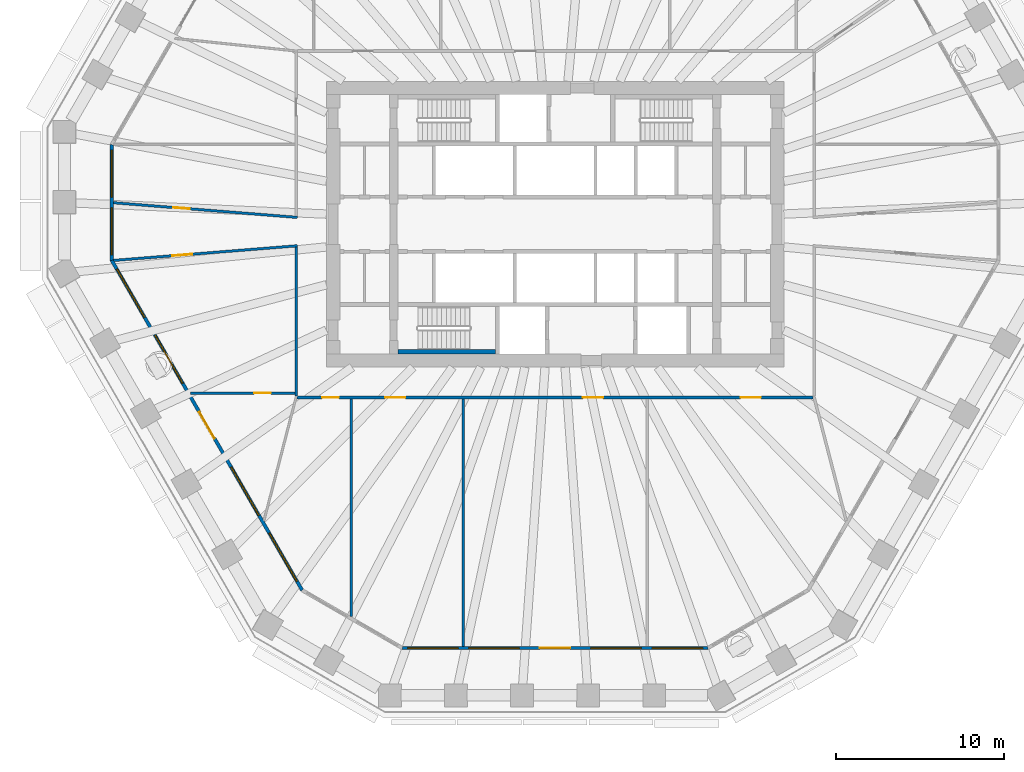
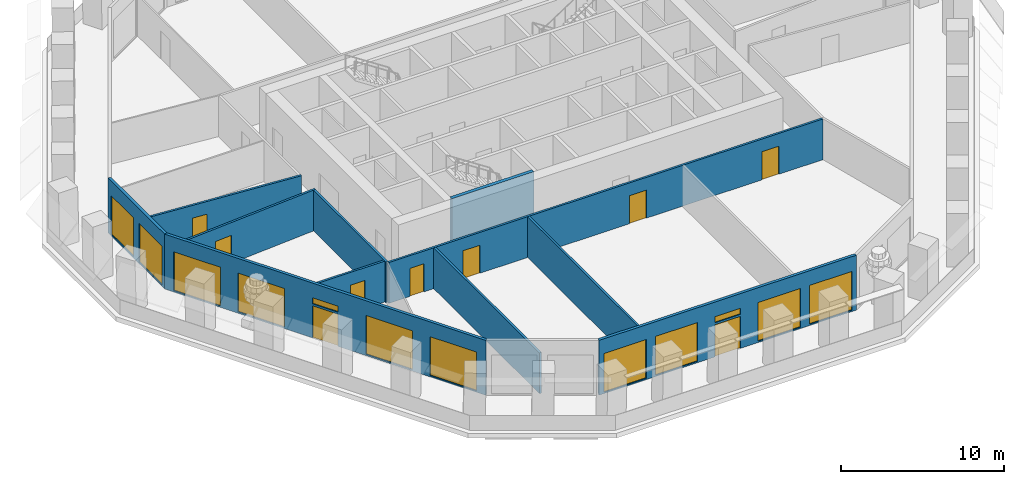
# One storey, part 3 of 12: 12 windows, 11 walls, 9 doors, 21 openings.
"""IFC4 building model written with IfcOpenShell, lengths in metres."""

from ifc_helpers import new_model, si_unit, direction, frame, frame_2d, origin, place, context, subcontext, project, spatial, polyline, rectangle, outline, extrude, material, layer, layer_set, type_object, element, fill, save


model = new_model("IFC4")

# Units and contexts
model_context = context("Model", 3, precision=1e-05, world=origin(), true_north=direction((0.0, 1.0)))
body_context = subcontext(model_context, "Body", "Model", "MODEL_VIEW")
ifc_project = project(units=[si_unit("LENGTHUNIT", "METRE"), si_unit("AREAUNIT", "SQUARE_METRE"), si_unit("VOLUMEUNIT", "CUBIC_METRE"), si_unit("PLANEANGLEUNIT", "RADIAN"), si_unit("MASSUNIT", "GRAM", prefix="KILO")], contexts=[model_context])

# Site, building, storey
site_placement = place(None, origin())
site = spatial("IfcSite", under=ifc_project, at=site_placement, CompositionType="ELEMENT")
building_placement = place(site_placement, origin())
building = spatial("IfcBuilding", under=site, at=building_placement, Name="Frailejon Research Tower", CompositionType="ELEMENT")
storey_placement = place(building_placement, frame((0.0, 0.0, 122.0)))
storey = spatial("IfcBuildingStorey", under=building, at=storey_placement, Name="L26", CompositionType="ELEMENT", Elevation=122.0)

# Wall
ifc_material_1 = material(Name="Gypsum board and masonry partition", Category="masonry")
ifc_layer_1 = layer(ifc_material_1, 0.14990234375)
ifc_layer_set_1 = layer_set([ifc_layer_1], Name="Corridor wall EI 60, gypsum on steel studs 150")
wall_type_1 = type_object("IfcWallType", Name="Corridor wall EI 60, gypsum on steel studs 150", PredefinedType="PARTITIONING", material=ifc_layer_set_1)
wall_1_placement = place(storey_placement, frame((-15.39990234375, -10.22509765625, 0.0), z_axis=(0.0, 0.0, 1.0), x_axis=(0.0, 1.0, 0.0)))
element("IfcWall", 1, at=wall_1_placement, inside=storey, type_object=wall_type_1, Name="T:IW:L26:004", PredefinedType="PARTITIONING", context=body_context, shape_type="SweptSolid", body=[
    extrude(rectangle(XDim=8.86279296875, YDim=0.14990234375, at=frame_2d((4.431396484375, 0.0))), origin(), (0.0, 0.0, 1.0), 3.050048828125),
])

# Wall, openings, doors
wall_2_placement = place(storey_placement, frame((-15.35009765625, -10.300048828125, 0.0), z_axis=(0.0, 0.0, 1.0), x_axis=(1.0, 0.0, 0.0)))
wall_2 = element("IfcWall", 2, at=wall_2_placement, inside=storey, type_object=wall_type_1, Name="T:IW:L26:006", PredefinedType="PARTITIONING", context=body_context, shape_type="SweptSolid", body=[
    extrude(rectangle(XDim=30.675048828125, YDim=0.14990234375, at=frame_2d((15.33740234375, 0.0))), origin(), (0.0, 0.0, 1.0), 3.050048828125),
])
opening_1_placement = place(wall_2_placement, frame((1.493408203125, 0.0, 0.0)))
opening_1 = element("IfcOpeningElement", 3, at=opening_1_placement, cuts=wall_2, Name="Opening D1642", PredefinedType="OPENING", context=body_context, shape_type="SweptSolid", body=[
    extrude(rectangle(XDim=1.0, YDim=2.10009765625, at=frame_2d((0.5, 1.050048828125))), frame((0.0, 0.0849609375, 0.0), z_axis=(0.0, -1.0, 0.0), x_axis=(1.0, 0.0, 0.0)), (0.0, 0.0, 1.0), 0.169921875),
])
opening_2_placement = place(wall_2_placement, frame((5.25146484375, 0.0, 0.0)))
opening_2 = element("IfcOpeningElement", 4, at=opening_2_placement, cuts=wall_2, Name="Opening D1643", PredefinedType="OPENING", context=body_context, shape_type="SweptSolid", body=[
    extrude(rectangle(XDim=1.199951171875, YDim=2.10009765625, at=frame_2d((0.60009765625, 1.050048828125))), frame((0.0, 0.0849609375, 0.0), z_axis=(0.0, -1.0, 0.0), x_axis=(1.0, 0.0, 0.0)), (0.0, 0.0, 1.0), 0.169921875),
])
opening_3_placement = place(wall_2_placement, frame((17.0078125, 0.0, 0.0)))
opening_3 = element("IfcOpeningElement", 5, at=opening_3_placement, cuts=wall_2, Name="Opening D1644", PredefinedType="OPENING", context=body_context, shape_type="SweptSolid", body=[
    extrude(rectangle(XDim=1.199951171875, YDim=2.10009765625, at=frame_2d((0.60009765625, 1.050048828125))), frame((0.0, 0.0849609375, 0.0), z_axis=(0.0, -1.0, 0.0), x_axis=(1.0, 0.0, 0.0)), (0.0, 0.0, 1.0), 0.169921875),
])
opening_4_placement = place(wall_2_placement, frame((26.387939453125, 0.0, 0.0)))
opening_4 = element("IfcOpeningElement", 6, at=opening_4_placement, cuts=wall_2, Name="Opening D1645", PredefinedType="OPENING", context=body_context, shape_type="SweptSolid", body=[
    extrude(rectangle(XDim=1.199951171875, YDim=2.10009765625, at=frame_2d((0.60009765625, 1.050048828125))), frame((0.0, 0.0849609375, 0.0), z_axis=(0.0, -1.0, 0.0), x_axis=(1.0, 0.0, 0.0)), (0.0, 0.0, 1.0), 0.169921875),
])
ifc_material_2 = material(Name="Timber door leaf", Category="wood")
door_type_1 = type_object("IfcDoorType", Name="Door laboratory, timber, vision panel 1200", OperationType="NOTDEFINED", PredefinedType="DOOR", material=ifc_material_2)
door_1_placement = place(opening_2_placement, origin())
door_1 = element("IfcDoor", 7, at=door_1_placement, inside=storey, type_object=door_type_1, Name="D1643", OperationType="DOUBLE_DOOR_SINGLE_SWING", OverallHeight=2.10009765625, OverallWidth=1.199951171875, PredefinedType="DOOR", context=body_context, shape_type="SweptSolid", body=[
    extrude(rectangle(XDim=1.199951171875, YDim=2.10009765625, at=frame_2d((0.60009765625, 1.050048828125))), frame((0.0, 0.02490234375, 0.0), z_axis=(0.0, -1.0, 0.0), x_axis=(1.0, 0.0, 0.0)), (0.0, 0.0, 1.0), 0.050048828125),
])
fill(opening_2, door_1)
door_2_placement = place(opening_3_placement, origin())
door_2 = element("IfcDoor", 8, at=door_2_placement, inside=storey, type_object=door_type_1, Name="D1644", OperationType="DOUBLE_DOOR_SINGLE_SWING", OverallHeight=2.10009765625, OverallWidth=1.199951171875, PredefinedType="DOOR", context=body_context, shape_type="SweptSolid", body=[
    extrude(rectangle(XDim=1.199951171875, YDim=2.10009765625, at=frame_2d((0.60009765625, 1.050048828125))), frame((0.0, 0.02490234375, 0.0), z_axis=(0.0, -1.0, 0.0), x_axis=(1.0, 0.0, 0.0)), (0.0, 0.0, 1.0), 0.050048828125),
])
fill(opening_3, door_2)
door_3_placement = place(opening_4_placement, origin())
door_3 = element("IfcDoor", 9, at=door_3_placement, inside=storey, type_object=door_type_1, Name="D1645", OperationType="DOUBLE_DOOR_SINGLE_SWING", OverallHeight=2.10009765625, OverallWidth=1.199951171875, PredefinedType="DOOR", context=body_context, shape_type="SweptSolid", body=[
    extrude(rectangle(XDim=1.199951171875, YDim=2.10009765625, at=frame_2d((0.60009765625, 1.050048828125))), frame((0.0, 0.02490234375, 0.0), z_axis=(0.0, -1.0, 0.0), x_axis=(1.0, 0.0, 0.0)), (0.0, 0.0, 1.0), 0.050048828125),
])
fill(opening_4, door_3)
ifc_material_3 = material(Name="Timber door leaf", Category="wood")
door_type_2 = type_object("IfcDoorType", Name="Door single leaf, timber, steel frame 1000", OperationType="NOTDEFINED", PredefinedType="DOOR", material=ifc_material_3)
door_4_placement = place(opening_1_placement, origin())
door_4 = element("IfcDoor", 10, at=door_4_placement, inside=storey, type_object=door_type_2, Name="D1642", OperationType="SINGLE_SWING_LEFT", OverallHeight=2.10009765625, OverallWidth=1.0, PredefinedType="DOOR", context=body_context, shape_type="SweptSolid", body=[
    extrude(rectangle(XDim=1.0, YDim=2.10009765625, at=frame_2d((0.5, 1.050048828125))), frame((0.0, 0.02490234375, 0.0), z_axis=(0.0, -1.0, 0.0), x_axis=(1.0, 0.0, 0.0)), (0.0, 0.0, 1.0), 0.050048828125),
])
fill(opening_1, door_4)

# Wall, opening, door
wall_3_placement = place(storey_placement, frame((-26.26025390625, 1.27880859375, 0.0), z_axis=(0.0, 0.0, 1.0), x_axis=(0.996835062106, -0.079497540564, 0.0)))
wall_3 = element("IfcWall", 11, at=wall_3_placement, inside=storey, type_object=wall_type_1, Name="T:IW:L26:007", PredefinedType="PARTITIONING", context=body_context, shape_type="SweptSolid", body=[
    extrude(rectangle(XDim=10.9697265625, YDim=0.14990234375, at=frame_2d((5.48486328125, 0.0))), origin(), (0.0, 0.0, 1.0), 3.050048828125),
])
opening_5_placement = place(wall_3_placement, frame((3.568115234375, 0.0, 0.0)))
opening_5 = element("IfcOpeningElement", 12, at=opening_5_placement, cuts=wall_3, Name="Opening D1639", PredefinedType="OPENING", context=body_context, shape_type="SweptSolid", body=[
    extrude(rectangle(XDim=1.0, YDim=2.10009765625, at=frame_2d((0.5, 1.050048828125))), frame((0.0, 0.0849609375, 0.0), z_axis=(0.0, -1.0, 0.0), x_axis=(1.0, 0.0, 0.0)), (0.0, 0.0, 1.0), 0.169921875),
])
door_5_placement = place(opening_5_placement, origin())
door_5 = element("IfcDoor", 13, at=door_5_placement, inside=storey, type_object=door_type_2, Name="D1639", OperationType="SINGLE_SWING_LEFT", OverallHeight=2.10009765625, OverallWidth=1.0, PredefinedType="DOOR", context=body_context, shape_type="SweptSolid", body=[
    extrude(rectangle(XDim=1.0, YDim=2.10009765625, at=frame_2d((0.5, 1.050048828125))), frame((0.0, 0.02490234375, 0.0), z_axis=(0.0, -1.0, 0.0), x_axis=(1.0, 0.0, 0.0)), (0.0, 0.0, 1.0), 0.050048828125),
])
fill(opening_5, door_5)

wall_4_placement = place(storey_placement, frame((-26.239501953125, -2.151611328125, 0.0), z_axis=(0.0, 0.0, 1.0), x_axis=(0.996835453058, 0.079492638187, 0.0)))
wall_4 = element("IfcWall", 14, at=wall_4_placement, inside=storey, type_object=wall_type_1, Name="T:IW:L26:008", PredefinedType="PARTITIONING", context=body_context, shape_type="SweptSolid", body=[
    extrude(rectangle(XDim=10.948974609375, YDim=0.14990234375, at=frame_2d((5.474609375, 0.0))), origin(), (0.0, 0.0, 1.0), 3.050048828125),
])
opening_6_placement = place(wall_4_placement, frame((3.490966796875, 0.0, 0.0)))
opening_6 = element("IfcOpeningElement", 15, at=opening_6_placement, cuts=wall_4, Name="Opening D1640", PredefinedType="OPENING", context=body_context, shape_type="SweptSolid", body=[
    extrude(rectangle(XDim=1.199951171875, YDim=2.10009765625, at=frame_2d((0.60009765625, 1.050048828125))), frame((0.0, 0.0849609375, 0.0), z_axis=(0.0, -1.0, 0.0), x_axis=(1.0, 0.0, 0.0)), (0.0, 0.0, 1.0), 0.169921875),
])
door_6_placement = place(opening_6_placement, origin())
door_6 = element("IfcDoor", 16, at=door_6_placement, inside=storey, type_object=door_type_1, Name="D1640", OperationType="DOUBLE_DOOR_SINGLE_SWING", OverallHeight=2.10009765625, OverallWidth=1.199951171875, PredefinedType="DOOR", context=body_context, shape_type="SweptSolid", body=[
    extrude(rectangle(XDim=1.199951171875, YDim=2.10009765625, at=frame_2d((0.60009765625, 1.050048828125))), frame((0.0, 0.02490234375, 0.0), z_axis=(0.0, -1.0, 0.0), x_axis=(1.0, 0.0, 0.0)), (0.0, 0.0, 1.0), 0.050048828125),
])
fill(opening_6, door_6)

ifc_material_4 = material(Name="Gypsum board and masonry partition", Category="masonry")
ifc_layer_2 = layer(ifc_material_4, 0.14990234375)
ifc_layer_set_2 = layer_set([ifc_layer_2], Name="Laboratory partition, blockwork 150")
wall_type_2 = type_object("IfcWallType", Name="Laboratory partition, blockwork 150", PredefinedType="PARTITIONING", material=ifc_layer_set_2)
wall_5_placement = place(storey_placement, frame((-21.688720703125, -10.033935546875, 0.0), z_axis=(0.0, 0.0, 1.0), x_axis=(1.0, 0.0, 0.0)))
wall_5 = element("IfcWall", 17, at=wall_5_placement, inside=storey, type_object=wall_type_2, Name="T:IW:L26:015", PredefinedType="PARTITIONING", context=body_context, shape_type="SweptSolid", body=[
    extrude(rectangle(XDim=6.213623046875, YDim=0.14990234375, at=frame_2d((3.10693359375, 0.0))), origin(), (0.0, 0.0, 1.0), 3.050048828125),
])
opening_7_placement = place(wall_5_placement, frame((3.79150390625, 0.0, 0.0)))
opening_7 = element("IfcOpeningElement", 18, at=opening_7_placement, cuts=wall_5, Name="Opening D1641", PredefinedType="OPENING", context=body_context, shape_type="SweptSolid", body=[
    extrude(rectangle(XDim=1.0, YDim=2.10009765625, at=frame_2d((0.5, 1.050048828125))), frame((0.0, 0.0849609375, 0.0), z_axis=(0.0, -1.0, 0.0), x_axis=(1.0, 0.0, 0.0)), (0.0, 0.0, 1.0), 0.169921875),
])
door_7_placement = place(opening_7_placement, origin())
door_7 = element("IfcDoor", 19, at=door_7_placement, inside=storey, type_object=door_type_2, Name="D1641", OperationType="SINGLE_SWING_LEFT", OverallHeight=2.10009765625, OverallWidth=1.0, PredefinedType="DOOR", context=body_context, shape_type="SweptSolid", body=[
    extrude(rectangle(XDim=1.0, YDim=2.10009765625, at=frame_2d((0.5, 1.050048828125))), frame((0.0, 0.02490234375, 0.0), z_axis=(0.0, -1.0, 0.0), x_axis=(1.0, 0.0, 0.0)), (0.0, 0.0, 1.0), 0.050048828125),
])
fill(opening_7, door_7)

# Walls
wall_6_placement = place(storey_placement, frame((-12.10888671875, -23.331787109375, 0.0), z_axis=(0.0, 0.0, 1.0), x_axis=(0.0, 1.0, 0.0)))
element("IfcWall", 20, at=wall_6_placement, inside=storey, type_object=wall_type_2, Name="T:IW:L26:016", PredefinedType="PARTITIONING", context=body_context, shape_type="SweptSolid", body=[
    extrude(rectangle(XDim=12.956787109375, YDim=0.14990234375, at=frame_2d((6.478515625, 0.0))), origin(), (0.0, 0.0, 1.0), 3.050048828125),
])
wall_7_placement = place(storey_placement, frame((-5.46533203125, -25.0947265625, 0.0), z_axis=(0.0, 0.0, 1.0), x_axis=(0.0, 1.0, 0.0)))
element("IfcWall", 21, at=wall_7_placement, inside=storey, type_object=wall_type_2, Name="T:IW:L26:017", PredefinedType="PARTITIONING", context=body_context, shape_type="SweptSolid", body=[
    extrude(rectangle(XDim=14.7197265625, YDim=0.14990234375, at=frame_2d((7.35986328125, 0.0))), origin(), (0.0, 0.0, 1.0), 3.050048828125),
])
ifc_material_5 = material(Name="Concrete C70/85", Category="concrete")
ifc_layer_3 = layer(ifc_material_5, 0.25)
ifc_layer_set_3 = layer_set([ifc_layer_3], Name="Shaft wall 250 C70/85")
wall_type_3 = type_object("IfcWallType", Name="Shaft wall 250 C70/85", PredefinedType="SOLIDWALL", material=ifc_layer_set_3)
wall_8_placement = place(storey_placement, frame((-9.35009765625, -7.574951171875, 0.0), z_axis=(0.0, 0.0, 1.0), x_axis=(1.0, 0.0, 0.0)))
element("IfcWall", 22, at=wall_8_placement, inside=storey, type_object=wall_type_3, Name="Shaft wall", PredefinedType="SOLIDWALL", context=body_context, shape_type="SweptSolid", body=[
    extrude(rectangle(XDim=5.800048828125, YDim=0.25, at=frame_2d((2.89990234375, 0.0))), origin(), (0.0, 0.0, 1.0), 4.10009765625),
])

# Wall, openings, windows
ifc_material_6 = material(Name="Concrete C40/50 precast window wall panel", Category="concrete")
ifc_layer_4 = layer(ifc_material_6, 0.199951171875)
ifc_layer_set_4 = layer_set([ifc_layer_4], Name="Window wall 200")
wall_type_4 = type_object("IfcWallType", Name="Window wall 200", PredefinedType="SOLIDWALL", material=ifc_layer_set_4)
wall_9_placement = place(storey_placement, frame((-26.3603515625, 4.732177734375, 0.0), z_axis=(0.0, 0.0, 1.0), x_axis=(0.0, -1.0, 0.0)))
wall_9 = element("IfcWall", 23, at=wall_9_placement, inside=storey, type_object=wall_type_4, Name="Exterior wall L26", PredefinedType="SOLIDWALL", context=body_context, shape_type="SweptSolid", body=[
    extrude(outline(polyline([(-0.02685546875, -0.10009765625), (1.1279296875, -0.10009765625), (2.28271484375, -0.10009765625), (3.4375, -0.10009765625), (4.592041015625, -0.10009765625), (5.746826171875, -0.10009765625), (6.901611328125, -0.10009765625), (6.847900390625, 0.10009765625), (5.7109375, 0.10009765625), (4.57421875, 0.10009765625), (3.4375, 0.10009765625), (2.300537109375, 0.10009765625), (1.16357421875, 0.10009765625), (0.02685546875, 0.10009765625), (-0.02685546875, -0.10009765625)])), origin(), (0.0, 0.0, 1.0), 4.10009765625),
])
opening_8_placement = place(wall_9_placement, frame((0.318603515625, 0.0, 0.10009765625)))
opening_8 = element("IfcOpeningElement", 24, at=opening_8_placement, cuts=wall_9, Name="Opening W3", PredefinedType="OPENING", context=body_context, shape_type="SweptSolid", body=[
    extrude(rectangle(XDim=2.800048828125, YDim=2.89990234375, at=frame_2d((1.39990234375, 1.449951171875))), frame((0.0, 0.10986328125, 0.0), z_axis=(0.0, -1.0, 0.0), x_axis=(1.0, 0.0, 0.0)), (0.0, 0.0, 1.0), 0.219970703125),
])
opening_9_placement = place(wall_9_placement, frame((3.756103515625, 0.0, 0.10009765625)))
opening_9 = element("IfcOpeningElement", 25, at=opening_9_placement, cuts=wall_9, Name="Opening W3", PredefinedType="OPENING", context=body_context, shape_type="SweptSolid", body=[
    extrude(rectangle(XDim=2.800048828125, YDim=2.89990234375, at=frame_2d((1.39990234375, 1.449951171875))), frame((0.0, 0.10986328125, 0.0), z_axis=(0.0, -1.0, 0.0), x_axis=(1.0, 0.0, 0.0)), (0.0, 0.0, 1.0), 0.219970703125),
])
ifc_material_7 = material(Name="Aluminium framed double glazing", Category="aluminium")
window_type_1 = type_object("IfcWindowType", Name="Window 2800x2900", PartitioningType="SINGLE_PANEL", PredefinedType="WINDOW", material=ifc_material_7)
window_1_placement = place(opening_8_placement, origin())
window_1 = element("IfcWindow", 26, at=window_1_placement, inside=storey, type_object=window_type_1, Name="Window L26", OverallHeight=2.89990234375, OverallWidth=2.800048828125, PartitioningType="SINGLE_PANEL", PredefinedType="WINDOW", context=body_context, shape_type="SweptSolid", body=[
    extrude(rectangle(XDim=2.800048828125, YDim=2.89990234375, at=frame_2d((1.39990234375, 1.449951171875))), frame((0.0, 0.030029296875, 0.0), z_axis=(0.0, -1.0, 0.0), x_axis=(1.0, 0.0, 0.0)), (0.0, 0.0, 1.0), 0.06005859375),
])
fill(opening_8, window_1)
window_2_placement = place(opening_9_placement, origin())
window_2 = element("IfcWindow", 27, at=window_2_placement, inside=storey, type_object=window_type_1, Name="Window L26", OverallHeight=2.89990234375, OverallWidth=2.800048828125, PartitioningType="SINGLE_PANEL", PredefinedType="WINDOW", context=body_context, shape_type="SweptSolid", body=[
    extrude(rectangle(XDim=2.800048828125, YDim=2.89990234375, at=frame_2d((1.39990234375, 1.449951171875))), frame((0.0, 0.030029296875, 0.0), z_axis=(0.0, -1.0, 0.0), x_axis=(1.0, 0.0, 0.0)), (0.0, 0.0, 1.0), 0.06005859375),
])
fill(opening_9, window_2)

# Wall, openings, door, windows
wall_10_placement = place(storey_placement, frame((-26.3603515625, -2.142578125, 0.0), z_axis=(0.0, 0.0, 1.0), x_axis=(0.499999574138, -0.866025649656, 0.0)))
wall_10 = element("IfcWall", 28, at=wall_10_placement, inside=storey, type_object=wall_type_4, Name="Exterior wall L26", PredefinedType="SOLIDWALL", context=body_context, shape_type="SweptSolid", body=[
    extrude(outline(polyline([(-0.02685546875, -0.10009765625), (1.005126953125, -0.10009765625), (2.037109375, -0.10009765625), (3.069091796875, -0.10009765625), (4.10107421875, -0.10009765625), (5.133056640625, -0.10009765625), (6.164794921875, -0.10009765625), (7.19677734375, -0.10009765625), (8.228759765625, -0.10009765625), (9.2607421875, -0.10009765625), (10.292724609375, -0.10009765625), (11.32470703125, -0.10009765625), (12.356689453125, -0.10009765625), (13.388671875, -0.10009765625), (14.420654296875, -0.10009765625), (15.45263671875, -0.10009765625), (16.484619140625, -0.10009765625), (17.516357421875, -0.10009765625), (18.54833984375, -0.10009765625), (19.580322265625, -0.10009765625), (20.6123046875, -0.10009765625), (21.644287109375, -0.10009765625), (22.67626953125, -0.10009765625), (22.62255859375, 0.10009765625), (21.595458984375, 0.10009765625), (20.568359375, 0.10009765625), (19.541259765625, 0.10009765625), (18.51416015625, 0.10009765625), (17.487060546875, 0.10009765625), (16.460205078125, 0.10009765625), (15.43310546875, 0.10009765625), (14.406005859375, 0.10009765625), (13.37890625, 0.10009765625), (12.351806640625, 0.10009765625), (11.32470703125, 0.10009765625), (10.297607421875, 0.10009765625), (9.2705078125, 0.10009765625), (8.243408203125, 0.10009765625), (7.21630859375, 0.10009765625), (6.189208984375, 0.10009765625), (5.162353515625, 0.10009765625), (4.13525390625, 0.10009765625), (3.108154296875, 0.10009765625), (2.0810546875, 0.10009765625), (1.053955078125, 0.10009765625), (0.02685546875, 0.10009765625), (-0.02685546875, -0.10009765625)])), origin(), (0.0, 0.0, 1.0), 4.10009765625),
])
opening_10_placement = place(wall_10_placement, frame((0.614990234375, 0.0, 0.10009765625)))
opening_10 = element("IfcOpeningElement", 29, at=opening_10_placement, cuts=wall_10, Name="Opening W5", PredefinedType="OPENING", context=body_context, shape_type="SweptSolid", body=[
    extrude(rectangle(XDim=3.300048828125, YDim=2.89990234375, at=frame_2d((1.64990234375, 1.449951171875))), frame((0.0, 0.10986328125, 0.0), z_axis=(0.0, -1.0, 0.0), x_axis=(1.0, 0.0, 0.0)), (0.0, 0.0, 1.0), 0.219970703125),
])
opening_11_placement = place(wall_10_placement, frame((5.144775390625, 0.0, 0.10009765625)))
opening_11 = element("IfcOpeningElement", 30, at=opening_11_placement, cuts=wall_10, Name="Opening W5", PredefinedType="OPENING", context=body_context, shape_type="SweptSolid", body=[
    extrude(rectangle(XDim=3.300048828125, YDim=2.89990234375, at=frame_2d((1.64990234375, 1.449951171875))), frame((0.0, 0.10986328125, 0.0), z_axis=(0.0, -1.0, 0.0), x_axis=(1.0, 0.0, 0.0)), (0.0, 0.0, 1.0), 0.219970703125),
])
opening_12_placement = place(wall_10_placement, frame((10.4248046875, 0.0, 0.0)))
opening_12 = element("IfcOpeningElement", 31, at=opening_12_placement, cuts=wall_10, Name="Opening LG26-4", PredefinedType="OPENING", context=body_context, shape_type="SweptSolid", body=[
    extrude(rectangle(XDim=1.800048828125, YDim=2.39990234375, at=frame_2d((0.89990234375, 1.199951171875))), frame((0.0, 0.10986328125, 0.0), z_axis=(0.0, -1.0, 0.0), x_axis=(1.0, 0.0, 0.0)), (0.0, 0.0, 1.0), 0.219970703125),
])
opening_13_placement = place(wall_10_placement, frame((10.4248046875, 0.0, 2.550048828125)))
opening_13 = element("IfcOpeningElement", 32, at=opening_13_placement, cuts=wall_10, Name="Opening W1", PredefinedType="OPENING", context=body_context, shape_type="SweptSolid", body=[
    extrude(rectangle(XDim=1.800048828125, YDim=0.449951171875, at=frame_2d((0.89990234375, 0.22509765625))), frame((0.0, 0.10986328125, 0.0), z_axis=(0.0, -1.0, 0.0), x_axis=(1.0, 0.0, 0.0)), (0.0, 0.0, 1.0), 0.219970703125),
])
opening_14_placement = place(wall_10_placement, frame((14.20458984375, 0.0, 0.10009765625)))
opening_14 = element("IfcOpeningElement", 33, at=opening_14_placement, cuts=wall_10, Name="Opening W5", PredefinedType="OPENING", context=body_context, shape_type="SweptSolid", body=[
    extrude(rectangle(XDim=3.300048828125, YDim=2.89990234375, at=frame_2d((1.64990234375, 1.449951171875))), frame((0.0, 0.10986328125, 0.0), z_axis=(0.0, -1.0, 0.0), x_axis=(1.0, 0.0, 0.0)), (0.0, 0.0, 1.0), 0.219970703125),
])
opening_15_placement = place(wall_10_placement, frame((18.734375, 0.0, 0.10009765625)))
opening_15 = element("IfcOpeningElement", 34, at=opening_15_placement, cuts=wall_10, Name="Opening W5", PredefinedType="OPENING", context=body_context, shape_type="SweptSolid", body=[
    extrude(rectangle(XDim=3.300048828125, YDim=2.89990234375, at=frame_2d((1.64990234375, 1.449951171875))), frame((0.0, 0.10986328125, 0.0), z_axis=(0.0, -1.0, 0.0), x_axis=(1.0, 0.0, 0.0)), (0.0, 0.0, 1.0), 0.219970703125),
])
ifc_material_8 = material(Name="Aluminium framed glazed door leaf", Category="aluminium")
door_type_3 = type_object("IfcDoorType", Name="Loggia door 1800x2400", OperationType="DOUBLE_DOOR_SINGLE_SWING", PredefinedType="DOOR", material=ifc_material_8)
door_8_placement = place(opening_12_placement, origin())
door_8 = element("IfcDoor", 35, at=door_8_placement, inside=storey, type_object=door_type_3, Name="Door LG26-4", OperationType="DOUBLE_DOOR_SINGLE_SWING", OverallHeight=2.39990234375, OverallWidth=1.800048828125, PredefinedType="DOOR", context=body_context, shape_type="SweptSolid", body=[
    extrude(rectangle(XDim=1.800048828125, YDim=2.39990234375, at=frame_2d((0.89990234375, 1.199951171875))), frame((0.0, 0.02490234375, 0.0), z_axis=(0.0, -1.0, 0.0), x_axis=(1.0, 0.0, 0.0)), (0.0, 0.0, 1.0), 0.050048828125),
])
fill(opening_12, door_8)
ifc_material_9 = material(Name="Aluminium framed double glazing", Category="aluminium")
window_type_2 = type_object("IfcWindowType", Name="Window 1800x450", PartitioningType="SINGLE_PANEL", PredefinedType="WINDOW", material=ifc_material_9)
window_3_placement = place(opening_13_placement, origin())
window_3 = element("IfcWindow", 36, at=window_3_placement, inside=storey, type_object=window_type_2, Name="Window L26", OverallHeight=0.449951171875, OverallWidth=1.800048828125, PartitioningType="SINGLE_PANEL", PredefinedType="WINDOW", context=body_context, shape_type="SweptSolid", body=[
    extrude(rectangle(XDim=1.800048828125, YDim=0.449951171875, at=frame_2d((0.89990234375, 0.22509765625))), frame((0.0, 0.030029296875, 0.0), z_axis=(0.0, -1.0, 0.0), x_axis=(1.0, 0.0, 0.0)), (0.0, 0.0, 1.0), 0.06005859375),
])
fill(opening_13, window_3)
ifc_material_10 = material(Name="Aluminium framed double glazing", Category="aluminium")
window_type_3 = type_object("IfcWindowType", Name="Window 3300x2900", PartitioningType="SINGLE_PANEL", PredefinedType="WINDOW", material=ifc_material_10)
window_4_placement = place(opening_10_placement, origin())
window_4 = element("IfcWindow", 37, at=window_4_placement, inside=storey, type_object=window_type_3, Name="Window L26", OverallHeight=2.89990234375, OverallWidth=3.300048828125, PartitioningType="SINGLE_PANEL", PredefinedType="WINDOW", context=body_context, shape_type="SweptSolid", body=[
    extrude(rectangle(XDim=3.300048828125, YDim=2.89990234375, at=frame_2d((1.64990234375, 1.449951171875))), frame((0.0, 0.030029296875, 0.0), z_axis=(0.0, -1.0, 0.0), x_axis=(1.0, 0.0, 0.0)), (0.0, 0.0, 1.0), 0.06005859375),
])
fill(opening_10, window_4)
window_5_placement = place(opening_11_placement, origin())
window_5 = element("IfcWindow", 38, at=window_5_placement, inside=storey, type_object=window_type_3, Name="Window L26", OverallHeight=2.89990234375, OverallWidth=3.300048828125, PartitioningType="SINGLE_PANEL", PredefinedType="WINDOW", context=body_context, shape_type="SweptSolid", body=[
    extrude(rectangle(XDim=3.300048828125, YDim=2.89990234375, at=frame_2d((1.64990234375, 1.449951171875))), frame((0.0, 0.030029296875, 0.0), z_axis=(0.0, -1.0, 0.0), x_axis=(1.0, 0.0, 0.0)), (0.0, 0.0, 1.0), 0.06005859375),
])
fill(opening_11, window_5)
window_6_placement = place(opening_14_placement, origin())
window_6 = element("IfcWindow", 39, at=window_6_placement, inside=storey, type_object=window_type_3, Name="Window L26", OverallHeight=2.89990234375, OverallWidth=3.300048828125, PartitioningType="SINGLE_PANEL", PredefinedType="WINDOW", context=body_context, shape_type="SweptSolid", body=[
    extrude(rectangle(XDim=3.300048828125, YDim=2.89990234375, at=frame_2d((1.64990234375, 1.449951171875))), frame((0.0, 0.030029296875, 0.0), z_axis=(0.0, -1.0, 0.0), x_axis=(1.0, 0.0, 0.0)), (0.0, 0.0, 1.0), 0.06005859375),
])
fill(opening_14, window_6)
window_7_placement = place(opening_15_placement, origin())
window_7 = element("IfcWindow", 40, at=window_7_placement, inside=storey, type_object=window_type_3, Name="Window L26", OverallHeight=2.89990234375, OverallWidth=3.300048828125, PartitioningType="SINGLE_PANEL", PredefinedType="WINDOW", context=body_context, shape_type="SweptSolid", body=[
    extrude(rectangle(XDim=3.300048828125, YDim=2.89990234375, at=frame_2d((1.64990234375, 1.449951171875))), frame((0.0, 0.030029296875, 0.0), z_axis=(0.0, -1.0, 0.0), x_axis=(1.0, 0.0, 0.0)), (0.0, 0.0, 1.0), 0.06005859375),
])
fill(opening_15, window_7)

wall_11_placement = place(storey_placement, frame((-9.08203125, -25.19482421875, 0.0), z_axis=(0.0, 0.0, 1.0), x_axis=(1.0, 0.0, 0.0)))
wall_11 = element("IfcWall", 41, at=wall_11_placement, inside=storey, type_object=wall_type_4, Name="Exterior wall L26", PredefinedType="SOLIDWALL", context=body_context, shape_type="SweptSolid", body=[
    extrude(outline(polyline([(-0.02685546875, -0.10009765625), (0.9853515625, -0.10009765625), (1.997314453125, -0.10009765625), (3.009521484375, -0.10009765625), (4.021484375, -0.10009765625), (5.03369140625, -0.10009765625), (6.045654296875, -0.10009765625), (7.057861328125, -0.10009765625), (8.06982421875, -0.10009765625), (9.08203125, -0.10009765625), (10.09423828125, -0.10009765625), (11.106201171875, -0.10009765625), (12.118408203125, -0.10009765625), (13.13037109375, -0.10009765625), (14.142578125, -0.10009765625), (15.154541015625, -0.10009765625), (16.166748046875, -0.10009765625), (17.1787109375, -0.10009765625), (18.19091796875, -0.10009765625), (18.13720703125, 0.10009765625), (17.131103515625, 0.10009765625), (16.125, 0.10009765625), (15.118896484375, 0.10009765625), (14.11279296875, 0.10009765625), (13.1064453125, 0.10009765625), (12.100341796875, 0.10009765625), (11.09423828125, 0.10009765625), (10.088134765625, 0.10009765625), (9.08203125, 0.10009765625), (8.075927734375, 0.10009765625), (7.06982421875, 0.10009765625), (6.063720703125, 0.10009765625), (5.0576171875, 0.10009765625), (4.05126953125, 0.10009765625), (3.045166015625, 0.10009765625), (2.0390625, 0.10009765625), (1.032958984375, 0.10009765625), (0.02685546875, 0.10009765625), (-0.02685546875, -0.10009765625)])), origin(), (0.0, 0.0, 1.0), 4.10009765625),
])
opening_16_placement = place(wall_11_placement, frame((0.31640625, 0.0, 0.10009765625)))
opening_16 = element("IfcOpeningElement", 42, at=opening_16_placement, cuts=wall_11, Name="Opening W4", PredefinedType="OPENING", context=body_context, shape_type="SweptSolid", body=[
    extrude(rectangle(XDim=3.0, YDim=2.89990234375, at=frame_2d((1.5, 1.449951171875))), frame((0.0, 0.10986328125, 0.0), z_axis=(0.0, -1.0, 0.0), x_axis=(1.0, 0.0, 0.0)), (0.0, 0.0, 1.0), 0.219970703125),
])
opening_17_placement = place(wall_11_placement, frame((3.94921875, 0.0, 0.10009765625)))
opening_17 = element("IfcOpeningElement", 43, at=opening_17_placement, cuts=wall_11, Name="Opening W4", PredefinedType="OPENING", context=body_context, shape_type="SweptSolid", body=[
    extrude(rectangle(XDim=3.0, YDim=2.89990234375, at=frame_2d((1.5, 1.449951171875))), frame((0.0, 0.10986328125, 0.0), z_axis=(0.0, -1.0, 0.0), x_axis=(1.0, 0.0, 0.0)), (0.0, 0.0, 1.0), 0.219970703125),
])
opening_18_placement = place(wall_11_placement, frame((8.18212890625, 0.0, 0.0)))
opening_18 = element("IfcOpeningElement", 44, at=opening_18_placement, cuts=wall_11, Name="Opening LG26-5", PredefinedType="OPENING", context=body_context, shape_type="SweptSolid", body=[
    extrude(rectangle(XDim=1.800048828125, YDim=2.39990234375, at=frame_2d((0.89990234375, 1.199951171875))), frame((0.0, 0.10986328125, 0.0), z_axis=(0.0, -1.0, 0.0), x_axis=(1.0, 0.0, 0.0)), (0.0, 0.0, 1.0), 0.219970703125),
])
opening_19_placement = place(wall_11_placement, frame((8.18212890625, 0.0, 2.550048828125)))
opening_19 = element("IfcOpeningElement", 45, at=opening_19_placement, cuts=wall_11, Name="Opening W1", PredefinedType="OPENING", context=body_context, shape_type="SweptSolid", body=[
    extrude(rectangle(XDim=1.800048828125, YDim=0.449951171875, at=frame_2d((0.89990234375, 0.22509765625))), frame((0.0, 0.10986328125, 0.0), z_axis=(0.0, -1.0, 0.0), x_axis=(1.0, 0.0, 0.0)), (0.0, 0.0, 1.0), 0.219970703125),
])
opening_20_placement = place(wall_11_placement, frame((11.21484375, 0.0, 0.10009765625)))
opening_20 = element("IfcOpeningElement", 46, at=opening_20_placement, cuts=wall_11, Name="Opening W4", PredefinedType="OPENING", context=body_context, shape_type="SweptSolid", body=[
    extrude(rectangle(XDim=3.0, YDim=2.89990234375, at=frame_2d((1.5, 1.449951171875))), frame((0.0, 0.10986328125, 0.0), z_axis=(0.0, -1.0, 0.0), x_axis=(1.0, 0.0, 0.0)), (0.0, 0.0, 1.0), 0.219970703125),
])
opening_21_placement = place(wall_11_placement, frame((14.84765625, 0.0, 0.10009765625)))
opening_21 = element("IfcOpeningElement", 47, at=opening_21_placement, cuts=wall_11, Name="Opening W4", PredefinedType="OPENING", context=body_context, shape_type="SweptSolid", body=[
    extrude(rectangle(XDim=3.0, YDim=2.89990234375, at=frame_2d((1.5, 1.449951171875))), frame((0.0, 0.10986328125, 0.0), z_axis=(0.0, -1.0, 0.0), x_axis=(1.0, 0.0, 0.0)), (0.0, 0.0, 1.0), 0.219970703125),
])
door_9_placement = place(opening_18_placement, origin())
door_9 = element("IfcDoor", 48, at=door_9_placement, inside=storey, type_object=door_type_3, Name="Door LG26-5", OperationType="DOUBLE_DOOR_SINGLE_SWING", OverallHeight=2.39990234375, OverallWidth=1.800048828125, PredefinedType="DOOR", context=body_context, shape_type="SweptSolid", body=[
    extrude(rectangle(XDim=1.800048828125, YDim=2.39990234375, at=frame_2d((0.89990234375, 1.199951171875))), frame((0.0, 0.02490234375, 0.0), z_axis=(0.0, -1.0, 0.0), x_axis=(1.0, 0.0, 0.0)), (0.0, 0.0, 1.0), 0.050048828125),
])
fill(opening_18, door_9)
window_8_placement = place(opening_19_placement, origin())
window_8 = element("IfcWindow", 49, at=window_8_placement, inside=storey, type_object=window_type_2, Name="Window L26", OverallHeight=0.449951171875, OverallWidth=1.800048828125, PartitioningType="SINGLE_PANEL", PredefinedType="WINDOW", context=body_context, shape_type="SweptSolid", body=[
    extrude(rectangle(XDim=1.800048828125, YDim=0.449951171875, at=frame_2d((0.89990234375, 0.22509765625))), frame((0.0, 0.030029296875, 0.0), z_axis=(0.0, -1.0, 0.0), x_axis=(1.0, 0.0, 0.0)), (0.0, 0.0, 1.0), 0.06005859375),
])
fill(opening_19, window_8)
ifc_material_11 = material(Name="Aluminium framed double glazing", Category="aluminium")
window_type_4 = type_object("IfcWindowType", Name="Window 3000x2900", PartitioningType="SINGLE_PANEL", PredefinedType="WINDOW", material=ifc_material_11)
window_9_placement = place(opening_16_placement, origin())
window_9 = element("IfcWindow", 50, at=window_9_placement, inside=storey, type_object=window_type_4, Name="Window L26", OverallHeight=2.89990234375, OverallWidth=3.0, PartitioningType="SINGLE_PANEL", PredefinedType="WINDOW", context=body_context, shape_type="SweptSolid", body=[
    extrude(rectangle(XDim=3.0, YDim=2.89990234375, at=frame_2d((1.5, 1.449951171875))), frame((0.0, 0.030029296875, 0.0), z_axis=(0.0, -1.0, 0.0), x_axis=(1.0, 0.0, 0.0)), (0.0, 0.0, 1.0), 0.06005859375),
])
fill(opening_16, window_9)
window_10_placement = place(opening_17_placement, origin())
window_10 = element("IfcWindow", 51, at=window_10_placement, inside=storey, type_object=window_type_4, Name="Window L26", OverallHeight=2.89990234375, OverallWidth=3.0, PartitioningType="SINGLE_PANEL", PredefinedType="WINDOW", context=body_context, shape_type="SweptSolid", body=[
    extrude(rectangle(XDim=3.0, YDim=2.89990234375, at=frame_2d((1.5, 1.449951171875))), frame((0.0, 0.030029296875, 0.0), z_axis=(0.0, -1.0, 0.0), x_axis=(1.0, 0.0, 0.0)), (0.0, 0.0, 1.0), 0.06005859375),
])
fill(opening_17, window_10)
window_11_placement = place(opening_20_placement, origin())
window_11 = element("IfcWindow", 52, at=window_11_placement, inside=storey, type_object=window_type_4, Name="Window L26", OverallHeight=2.89990234375, OverallWidth=3.0, PartitioningType="SINGLE_PANEL", PredefinedType="WINDOW", context=body_context, shape_type="SweptSolid", body=[
    extrude(rectangle(XDim=3.0, YDim=2.89990234375, at=frame_2d((1.5, 1.449951171875))), frame((0.0, 0.030029296875, 0.0), z_axis=(0.0, -1.0, 0.0), x_axis=(1.0, 0.0, 0.0)), (0.0, 0.0, 1.0), 0.06005859375),
])
fill(opening_20, window_11)
window_12_placement = place(opening_21_placement, origin())
window_12 = element("IfcWindow", 53, at=window_12_placement, inside=storey, type_object=window_type_4, Name="Window L26", OverallHeight=2.89990234375, OverallWidth=3.0, PartitioningType="SINGLE_PANEL", PredefinedType="WINDOW", context=body_context, shape_type="SweptSolid", body=[
    extrude(rectangle(XDim=3.0, YDim=2.89990234375, at=frame_2d((1.5, 1.449951171875))), frame((0.0, 0.030029296875, 0.0), z_axis=(0.0, -1.0, 0.0), x_axis=(1.0, 0.0, 0.0)), (0.0, 0.0, 1.0), 0.06005859375),
])
fill(opening_21, window_12)

save(model, "model.ifc")
